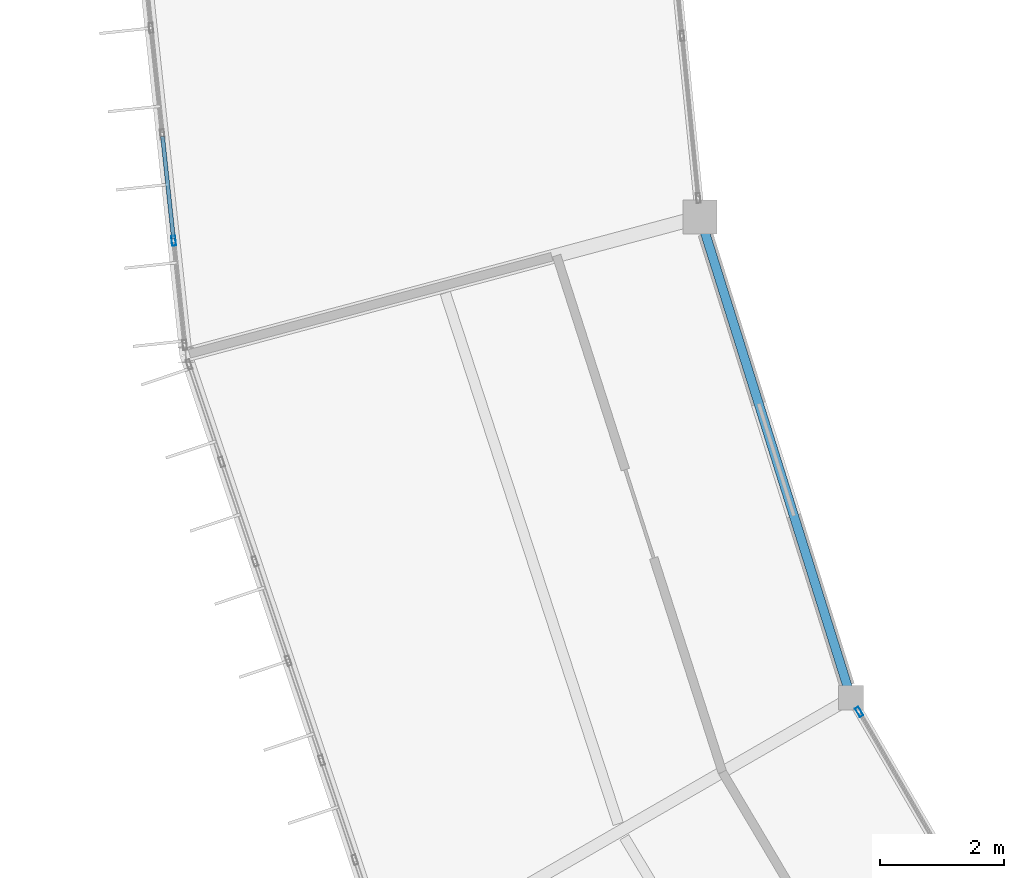
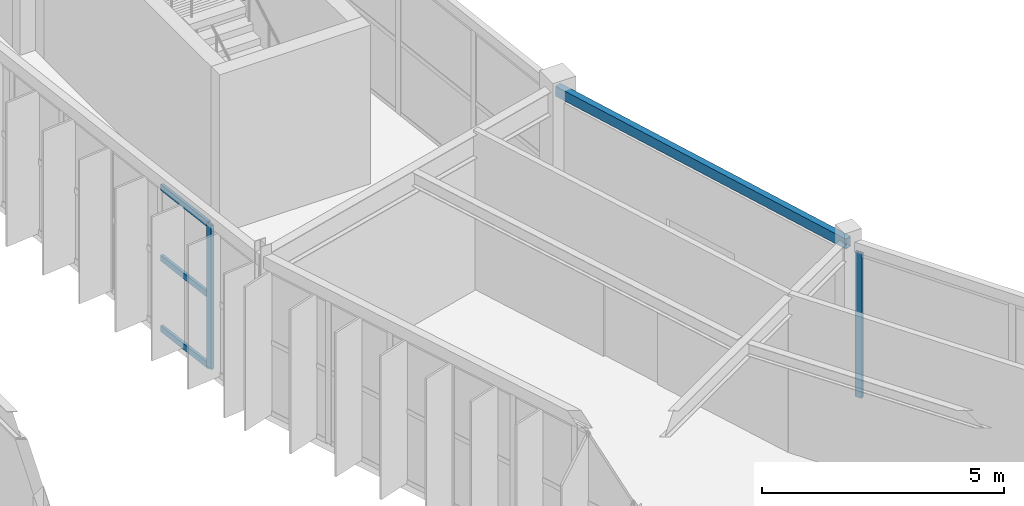
# One storey, part 37 of 130: 5 members, 1 beam, 2 elements without a shape of their own.
"""IFC4 building model written with IfcOpenShell, lengths in metres."""

from ifc_helpers import new_model, si_unit, direction, frame, origin, origin_2d, place, context, subcontext, project, spatial, hollow_rectangle, extrude, material, material_profile, profile_set, type_object, element, aggregate, save


model = new_model("IFC4")

# Units and contexts
model_context = context("Model", 3, precision=1e-05, world=origin(), true_north=direction((0.0, 1.0)))
body_context = subcontext(model_context, "Body", "Model", "MODEL_VIEW")
ifc_project = project(units=[si_unit("LENGTHUNIT", "METRE"), si_unit("AREAUNIT", "SQUARE_METRE"), si_unit("VOLUMEUNIT", "CUBIC_METRE"), si_unit("PLANEANGLEUNIT", "RADIAN"), si_unit("MASSUNIT", "GRAM", prefix="KILO")], contexts=[model_context])

# Site, building, storey
site_placement = place(None, origin())
site = spatial("IfcSite", under=ifc_project, at=site_placement, CompositionType="ELEMENT")
building_placement = place(site_placement, origin())
building = spatial("IfcBuilding", under=site, at=building_placement, Name="Karori Crest Natural Sciences Institute", CompositionType="ELEMENT")
storey_placement = place(building_placement, frame((0.0, 0.0, 17.5)))
storey = spatial("IfcBuildingStorey", under=building, at=storey_placement, Name="L04", CompositionType="ELEMENT", Elevation=17.5)

# Beam
ifc_material_1 = material(Name="Hollow structural steel AS/NZS 1163 Grade C350", Category="steel")
ifc_material_profile_1 = material_profile(ifc_material_1, hollow_rectangle(XDim=0.14990234375, YDim=0.25, WallThickness=0.009033203125, at=origin_2d()), Name="RHS250x150x9")
ifc_profile_set_1 = profile_set([ifc_material_profile_1], Name="Hollow structural steel AS/NZS 1163 Grade C350")
beam_type = type_object("IfcBeamType", Name="BT-16", PredefinedType="SPANDREL", material=ifc_profile_set_1)
beam_placement = place(storey_placement, frame((42.831298828125, 41.56591796875, 3.7900390625), z_axis=(0.299495880683, -0.954097593254, 0.0), x_axis=(0.954097593254, 0.299495880683, 0.0)))
element("IfcBeam", 1, at=beam_placement, inside=storey, type_object=beam_type, Name="Beam B-0499", PredefinedType="SPANDREL", context=body_context, shape_type="SweptSolid", body=[
    extrude(hollow_rectangle(XDim=0.14990234375, YDim=0.25, WallThickness=0.009033203125, at=origin_2d()), origin(), (0.0, 0.0, 1.0), 8.139404296875),
])

# Curtain wall, member
ifc_material_2 = material(Name="Anodised architectural aluminium 6063-T6", Category="aluminium")
curtain_wall_type_1 = type_object("IfcCurtainWallType", Name="CWT-03", PredefinedType="NOTDEFINED", material=ifc_material_2)
curtain_wall_1_placement = place(storey_placement, origin())
curtain_wall_1 = element("IfcCurtainWall", 2, at=curtain_wall_1_placement, inside=storey, type_object=curtain_wall_type_1, Name="Curtain wall CW-0154", PredefinedType="NOTDEFINED")
ifc_material_profile_2 = material_profile(ifc_material_2, hollow_rectangle(XDim=0.06494140625, YDim=0.159912109375, WallThickness=0.00390625, at=origin_2d()), Name="CWM160x65x4")
ifc_profile_set_2 = profile_set([ifc_material_profile_2], Name="Anodised architectural aluminium 6063-T6")
member_type_1 = type_object("IfcMemberType", Name="CWM-01", PredefinedType="MULLION", material=ifc_profile_set_2)
member_1_placement = place(storey_placement, frame((34.328125, 41.18310546875, 0.0), z_axis=(0.0, 0.0, 1.0), x_axis=(-0.994378435661, -0.105884496939, 0.0)))
member_1 = element("IfcMember", 3, at=member_1_placement, type_object=member_type_1, Name="CW-0154 mullion 2", PredefinedType="MULLION", context=body_context, shape_type="SweptSolid", body=[
    extrude(hollow_rectangle(XDim=0.06494140625, YDim=0.159912109375, WallThickness=0.00390625, at=origin_2d()), origin(), (0.0, 0.0, 1.0), 3.625),
])

curtain_wall_type_2 = type_object("IfcCurtainWallType", Name="CWT-15", PredefinedType="NOTDEFINED", material=ifc_material_2)
curtain_wall_2_placement = place(storey_placement, origin())
curtain_wall_2 = element("IfcCurtainWall", 4, at=curtain_wall_2_placement, inside=storey, type_object=curtain_wall_type_2, Name="Curtain wall CW-0158", PredefinedType="NOTDEFINED")
member_2_placement = place(storey_placement, frame((45.400634765625, 33.573486328125, 0.0), z_axis=(0.0, 0.0, 1.0), x_axis=(0.864487154971, 0.502654910341, 0.0)))
member_2 = element("IfcMember", 5, at=member_2_placement, type_object=member_type_1, Name="CW-0158 mullion 1", PredefinedType="MULLION", context=body_context, shape_type="SweptSolid", body=[
    extrude(hollow_rectangle(XDim=0.06494140625, YDim=0.159912109375, WallThickness=0.00390625, at=origin_2d()), origin(), (0.0, 0.0, 1.0), 3.64990234375),
])
aggregate(curtain_wall_2, [member_2])

# Member
ifc_material_profile_3 = material_profile(ifc_material_2, hollow_rectangle(XDim=0.06494140625, YDim=0.14990234375, WallThickness=0.00390625, at=origin_2d()), Name="CWT150x65x4")
ifc_profile_set_3 = profile_set([ifc_material_profile_3], Name="Anodised architectural aluminium 6063-T6")
member_type_2 = type_object("IfcMemberType", Name="CWT-TR2", PredefinedType="USERDEFINED", material=ifc_profile_set_3)
member_3_placement = place(storey_placement, frame((34.32470703125, 41.21533203125, 0.032470703125), z_axis=(-0.105884923842, 0.994378390203, 0.0), x_axis=(-0.994378390203, -0.105884923842, 0.0)))
member_3 = element("IfcMember", 6, at=member_3_placement, type_object=member_type_2, Name="CW-0154 transom 2.1", ObjectType="TRANSOM", PredefinedType="USERDEFINED", context=body_context, shape_type="SweptSolid", body=[
    extrude(hollow_rectangle(XDim=0.06494140625, YDim=0.14990234375, WallThickness=0.00390625, at=origin_2d()), origin(), (0.0, 0.0, 1.0), 1.662353515625),
])

member_4_placement = place(storey_placement, frame((34.32470703125, 41.21533203125, 1.8125), z_axis=(-0.105884923842, 0.994378390203, 0.0), x_axis=(-0.994378390203, -0.105884923842, 0.0)))
member_4 = element("IfcMember", 7, at=member_4_placement, type_object=member_type_2, Name="CW-0154 transom 2.2", ObjectType="TRANSOM", PredefinedType="USERDEFINED", context=body_context, shape_type="SweptSolid", body=[
    extrude(hollow_rectangle(XDim=0.06494140625, YDim=0.14990234375, WallThickness=0.00390625, at=origin_2d()), origin(), (0.0, 0.0, 1.0), 1.662353515625),
])

member_5_placement = place(storey_placement, frame((34.32470703125, 41.21533203125, 3.592529296875), z_axis=(-0.105884923842, 0.994378390203, 0.0), x_axis=(-0.994378390203, -0.105884923842, 0.0)))
member_5 = element("IfcMember", 8, at=member_5_placement, type_object=member_type_2, Name="CW-0154 transom 2.3", ObjectType="TRANSOM", PredefinedType="USERDEFINED", context=body_context, shape_type="SweptSolid", body=[
    extrude(hollow_rectangle(XDim=0.06494140625, YDim=0.14990234375, WallThickness=0.00390625, at=origin_2d()), origin(), (0.0, 0.0, 1.0), 1.662353515625),
])

aggregate(curtain_wall_1, [member_1, member_3, member_4, member_5])

save(model, "model.ifc")
